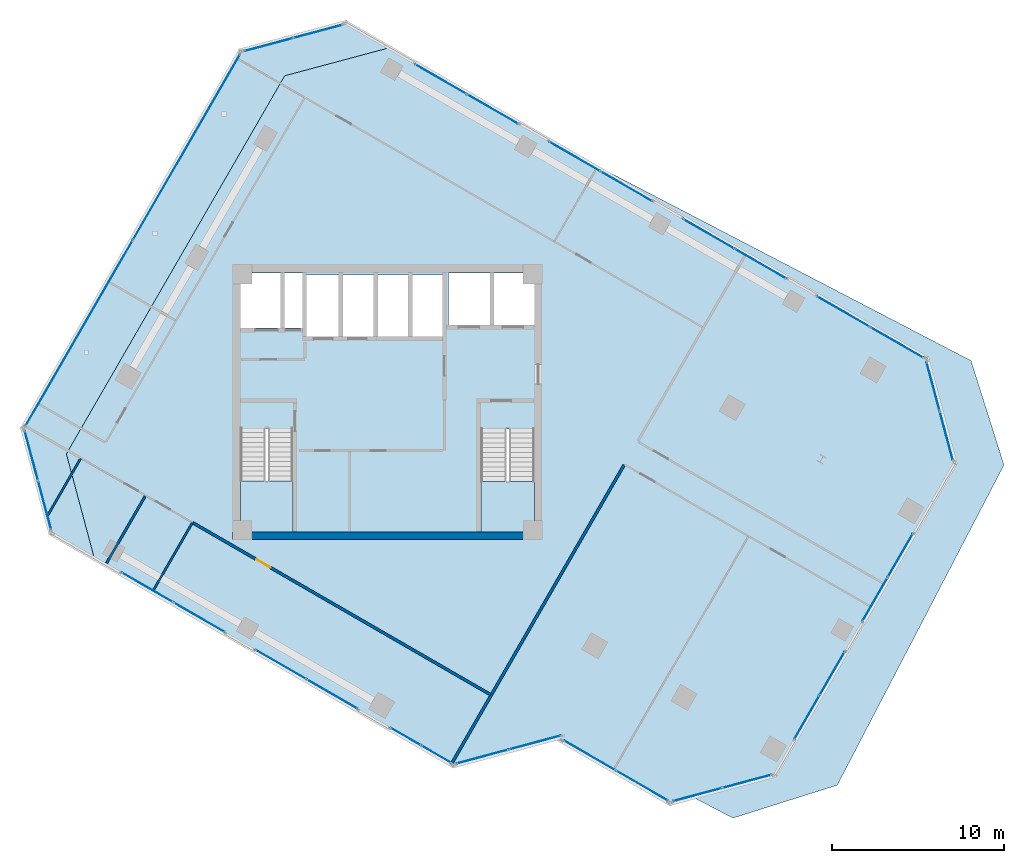
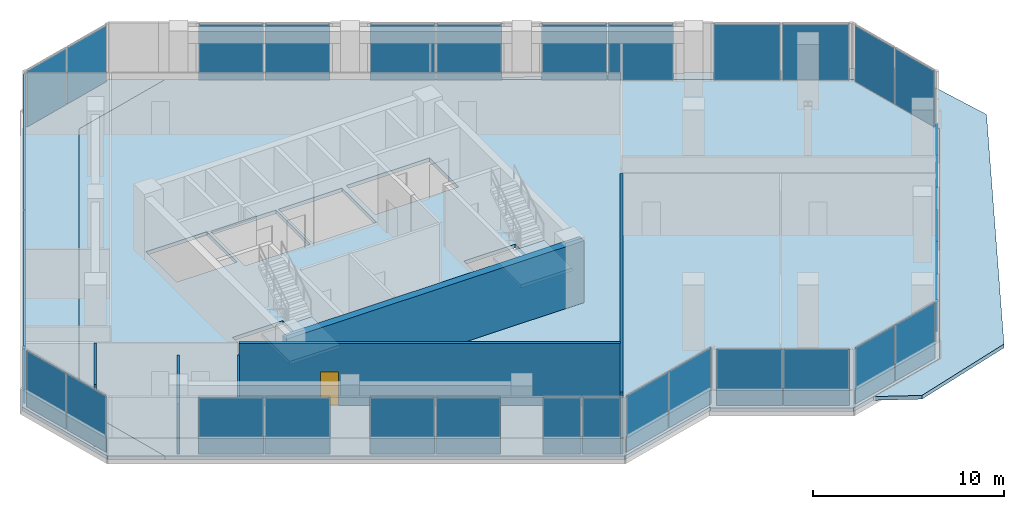
# One storey, part 16 of 21: 32 plates, 6 walls, 5 slabs, 1 door, 1 opening, 18 elements without a shape of their own.
"""IFC4 building model written with IfcOpenShell, lengths in metres."""

from ifc_helpers import new_model, si_unit, direction, frame, frame_2d, origin, origin_2d, place, context, subcontext, project, spatial, polyline, rectangle, outline, extrude, source, transform, mapped, material, layer, layer_set, type_object, element, fill, aggregate, save


model = new_model("IFC4")

# Units and contexts
model_context = context("Model", 3, precision=1e-05, world=origin(), true_north=direction((0.0, 1.0)))
body_context = subcontext(model_context, "Body", "Model", "MODEL_VIEW")
ifc_project = project(units=[si_unit("LENGTHUNIT", "METRE"), si_unit("AREAUNIT", "SQUARE_METRE"), si_unit("VOLUMEUNIT", "CUBIC_METRE"), si_unit("PLANEANGLEUNIT", "RADIAN"), si_unit("MASSUNIT", "GRAM", prefix="KILO")], contexts=[model_context])

# Site, building, storey
site_placement = place(None, origin())
site = spatial("IfcSite", under=ifc_project, at=site_placement, CompositionType="ELEMENT")
building_placement = place(site_placement, origin())
building = spatial("IfcBuilding", under=site, at=building_placement, Name="Torre Montelarca", CompositionType="ELEMENT")
storey_placement = place(building_placement, frame((0.0, 0.0, 179.199951171875)))
storey = spatial("IfcBuildingStorey", under=building, at=storey_placement, Name="L40", CompositionType="ELEMENT", Elevation=179.199951171875)

# Slabs
ifc_material_1 = material(Name="Concrete C40/50", Category="concrete")
ifc_layer_1 = layer(ifc_material_1, 0.239990234375, Name="Concrete C40/50", Category="concrete")
ifc_layer_set_1 = layer_set([ifc_layer_1], Name="Concrete C40/50")
slab_type_1 = type_object("IfcSlabType", Name="SL-FLR-240", PredefinedType="FLOOR", material=ifc_layer_set_1)
slab_1_placement = place(storey_placement, frame((0.0, 0.0, -0.239990234375)))
element("IfcSlab", 1, at=slab_1_placement, inside=storey, type_object=slab_type_1, Name="L40 Structural Floor Slab", PredefinedType="FLOOR", context=body_context, shape_type="SweptSolid", body=[
    extrude(outline(polyline([(21.839599609375, 10.788330078125), (27.98681640625, 12.435546875), (27.936767578125, 12.348876953125), (34.431884765625, 8.598876953125), (40.5791015625, 10.24609375), (51.0791015625, 28.4326171875), (49.431884765625, 34.57958984375), (18.16845703125, 52.629638671875), (12.021484375, 50.982421875), (-0.6787109375, 28.985595703125), (0.968505859375, 22.83837890625), (21.839599609375, 10.788330078125)]), holes=[polyline([(26.550048828125, 24.449951171875), (23.43994140625, 24.449951171875), (23.43994140625, 30.429931640625), (26.550048828125, 30.429931640625), (26.550048828125, 24.449951171875)]), polyline([(9.449951171875, 24.449951171875), (9.449951171875, 30.4599609375), (12.5, 30.4599609375), (12.5, 24.449951171875), (9.449951171875, 24.449951171875)]), polyline([(17.25, 35.800048828125), (13.300048828125, 35.800048828125), (13.300048828125, 39.39990234375), (17.25, 39.39990234375), (17.25, 35.800048828125)]), polyline([(21.25, 39.39990234375), (21.25, 35.800048828125), (17.39990234375, 35.800048828125), (17.39990234375, 39.39990234375), (21.25, 39.39990234375)]), polyline([(13.1201171875, 36.300048828125), (9.449951171875, 36.300048828125), (9.449951171875, 39.5), (13.1201171875, 39.5), (13.1201171875, 36.300048828125)]), polyline([(26.60009765625, 36.449951171875), (21.550048828125, 36.449951171875), (21.550048828125, 39.5), (26.60009765625, 39.5), (26.60009765625, 36.449951171875)])]), origin(), (0.0, 0.0, 1.0), 0.239990234375),
])
slab_2_placement = place(storey_placement, frame((0.0, 0.0, -0.239990234375)))
element("IfcSlab", 2, at=slab_2_placement, inside=storey, type_object=slab_type_1, Name="L40 Sliding Tray Winter Garden Floor Slab W1", PredefinedType="FLOOR", context=body_context, shape_type="SweptSolid", body=[
    extrude(outline(polyline([(0.968505859375, 22.83837890625), (-0.6787109375, 28.985595703125), (12.021484375, 50.982421875), (18.16845703125, 52.629638671875), (15.5703125, 54.129638671875), (9.42333984375, 52.482421875), (-3.276611328125, 30.485595703125), (-1.629638671875, 24.33837890625), (0.968505859375, 22.83837890625)])), origin(), (0.0, 0.0, 1.0), 0.239990234375),
])
ifc_material_2 = material(Name="Architectural concrete C40/50", Category="concrete")
ifc_layer_2 = layer(ifc_material_2, 0.239990234375, Name="Architectural concrete C40/50", Category="concrete")
ifc_layer_set_2 = layer_set([ifc_layer_2], Name="Architectural concrete C40/50")
slab_type_2 = type_object("IfcSlabType", Name="SL-ROOF-EXT-240", PredefinedType="ROOF", material=ifc_layer_set_2)
slab_3_placement = place(storey_placement, frame((0.0, 0.0, -0.239990234375)))
element("IfcSlab", 3, at=slab_3_placement, inside=storey, type_object=slab_type_2, Name="L39 Setback and Tray Overhang Roof Cap Slab 01", PredefinedType="ROOF", context=body_context, shape_type="SweptSolid", body=[
    extrude(outline(polyline([(49.43896484375, 34.5849609375), (51.087646484375, 28.431396484375), (40.58447265625, 10.239013671875), (35.851806640625, 8.970947265625), (38.101318359375, 7.800048828125), (44.1708984375, 9.713623046875), (53.86767578125, 28.3408203125), (51.953857421875, 34.410400390625), (29.455810546875, 46.1220703125), (49.43896484375, 34.5849609375)])), origin(), (0.0, 0.0, 1.0), 0.239990234375),
])

# Stair, slab
stair_type_1 = type_object("IfcStairType", Name="ST-CORE-ST1", PredefinedType="HALF_TURN_STAIR", material=ifc_material_1)
stair_1_placement = place(storey_placement, origin())
stair_1 = element("IfcStair", 4, at=stair_1_placement, inside=storey, type_object=stair_type_1, Name="L40 Protected Exit Stair ST1", PredefinedType="HALF_TURN_STAIR")
ifc_layer_3 = layer(ifc_material_1, 0.199951171875, Name="Concrete C40/50", Category="concrete")
ifc_layer_set_3 = layer_set([ifc_layer_3], Name="Concrete C40/50")
slab_type_3 = type_object("IfcSlabType", Name="SL-ST-LAND-ST1", PredefinedType="LANDING", material=ifc_layer_set_3)
slab_4_placement = place(storey_placement, frame((0.0, 0.0, 1.900146484375)))
slab_4 = element("IfcSlab", 5, at=slab_4_placement, type_object=slab_type_3, Name="ST1 landing 1", PredefinedType="LANDING", context=body_context, shape_type="SweptSolid", body=[
    extrude(outline(polyline([(9.449951171875, 27.419921875), (9.449951171875, 24.449951171875), (12.5, 24.449951171875), (12.5, 27.419921875), (9.449951171875, 27.419921875)])), origin(), (0.0, 0.0, 1.0), 0.199951171875),
])
aggregate(stair_1, [slab_4])

stair_type_2 = type_object("IfcStairType", Name="ST-CORE-ST2", PredefinedType="HALF_TURN_STAIR", material=ifc_material_1)
stair_2_placement = place(storey_placement, origin())
stair_2 = element("IfcStair", 6, at=stair_2_placement, inside=storey, type_object=stair_type_2, Name="L40 Protected Exit Stair ST2", PredefinedType="HALF_TURN_STAIR")
ifc_layer_4 = layer(ifc_material_1, 0.199951171875, Name="Concrete C40/50", Category="concrete")
ifc_layer_set_4 = layer_set([ifc_layer_4], Name="Concrete C40/50")
slab_type_4 = type_object("IfcSlabType", Name="SL-ST-LAND-ST2", PredefinedType="LANDING", material=ifc_layer_set_4)
slab_5_placement = place(storey_placement, frame((0.0, 0.0, 1.900146484375)))
slab_5 = element("IfcSlab", 7, at=slab_5_placement, type_object=slab_type_4, Name="ST2 landing 1", PredefinedType="LANDING", context=body_context, shape_type="SweptSolid", body=[
    extrude(outline(polyline([(23.43994140625, 27.389892578125), (23.43994140625, 24.449951171875), (26.550048828125, 24.449951171875), (26.550048828125, 27.389892578125), (23.43994140625, 27.389892578125)])), origin(), (0.0, 0.0, 1.0), 0.199951171875),
])
aggregate(stair_2, [slab_5])

# Curtain wall, plates
ifc_material_3 = material(Name="Insulated low-E laminated glass", Category="glass")
curtain_wall_type = type_object("IfcCurtainWallType", Name="CW-SYS-Z2", PredefinedType="USERDEFINED", material=ifc_material_3)
curtain_wall_1_placement = place(storey_placement, origin())
curtain_wall_1 = element("IfcCurtainWall", 8, at=curtain_wall_1_placement, inside=storey, type_object=curtain_wall_type, Name="L40 Curtain Wall Run CW-T3-L40-E02-B1", ObjectType="UNITISED GLAZING", PredefinedType="USERDEFINED")
ifc_layer_5 = layer(ifc_material_3, 0.031982421875, Name="Insulated low-E laminated glass", Category="glass")
ifc_layer_set_5 = layer_set([ifc_layer_5], Name="Insulated low-E laminated glass")
plate_type = type_object("IfcPlateType", Name="CWP-GLZ-32", PredefinedType="CURTAIN_PANEL", material=ifc_layer_set_5)
shared_shape_1 = source(origin(), body_context, "Body", "SweptSolid", [
    extrude(rectangle(XDim=3.102294921875, YDim=0.031982421875, at=origin_2d()), origin(), (0.0, 0.0, 1.0), 3.590087890625),
])
plate_1_placement = place(storey_placement, frame((23.52734375, 11.375, 0.06494140625), z_axis=(0.0, 0.0, 1.0), x_axis=(0.965924057738, 0.258825645334, 0.0)))
plate_1 = element("IfcPlate", 9, at=plate_1_placement, type_object=plate_type, Name="CW panel 1.1", PredefinedType="CURTAIN_PANEL", context=body_context, shape_type="MappedRepresentation", body=[
    mapped(shared_shape_1, transform((0.0, 0.0, 0.0), scale=1.0)),
])
plate_2_placement = place(storey_placement, frame((26.5869140625, 12.19482421875, 0.06494140625), z_axis=(0.0, 0.0, 1.0), x_axis=(0.965924057738, 0.258825645334, 0.0)))
plate_2 = element("IfcPlate", 10, at=plate_2_placement, type_object=plate_type, Name="CW panel 2.1", PredefinedType="CURTAIN_PANEL", context=body_context, shape_type="MappedRepresentation", body=[
    mapped(shared_shape_1, transform((0.0, 0.0, 0.0), scale=1.0)),
])
aggregate(curtain_wall_1, [plate_1, plate_2])

curtain_wall_2_placement = place(storey_placement, origin())
curtain_wall_2 = element("IfcCurtainWall", 11, at=curtain_wall_2_placement, inside=storey, type_object=curtain_wall_type, Name="L40 Curtain Wall Run CW-T3-L40-E11-B1", ObjectType="UNITISED GLAZING", PredefinedType="USERDEFINED")
shared_shape_2 = source(origin(), body_context, "Body", "SweptSolid", [
    extrude(rectangle(XDim=2.918701171875, YDim=0.031982421875, at=origin_2d()), origin(), (0.0, 0.0, 1.0), 3.590087890625),
])
plate_3_placement = place(storey_placement, frame((-2.713623046875, 28.886474609375, 0.06494140625), z_axis=(0.0, 0.0, 1.0), x_axis=(0.258809832936, -0.965928294635, 0.0)))
plate_3 = element("IfcPlate", 12, at=plate_3_placement, type_object=plate_type, Name="CW panel 1.1", PredefinedType="CURTAIN_PANEL", context=body_context, shape_type="MappedRepresentation", body=[
    mapped(shared_shape_2, transform((0.0, 0.0, 0.0), scale=1.0)),
])
plate_4_placement = place(storey_placement, frame((-1.94140625, 26.004638671875, 0.06494140625), z_axis=(0.0, 0.0, 1.0), x_axis=(0.258809832936, -0.965928294635, 0.0)))
plate_4 = element("IfcPlate", 13, at=plate_4_placement, type_object=plate_type, Name="CW panel 2.1", PredefinedType="CURTAIN_PANEL", context=body_context, shape_type="MappedRepresentation", body=[
    mapped(shared_shape_2, transform((0.0, 0.0, 0.0), scale=1.0)),
])
aggregate(curtain_wall_2, [plate_3, plate_4])

curtain_wall_3_placement = place(storey_placement, origin())
curtain_wall_3 = element("IfcCurtainWall", 14, at=curtain_wall_3_placement, inside=storey, type_object=curtain_wall_type, Name="L40 Curtain Wall Run CW-T3-L40-E05-B1", ObjectType="UNITISED GLAZING", PredefinedType="USERDEFINED")
shared_shape_3 = source(origin(), body_context, "Body", "SweptSolid", [
    extrude(rectangle(XDim=2.91845703125, YDim=0.031982421875, at=origin_2d()), origin(), (0.0, 0.0, 1.0), 3.590087890625),
])
plate_5_placement = place(storey_placement, frame((36.031005859375, 9.161865234375, 0.06494140625), z_axis=(0.0, 0.0, 1.0), x_axis=(0.965923039694, 0.258829444593, 0.0)))
plate_5 = element("IfcPlate", 15, at=plate_5_placement, type_object=plate_type, Name="CW panel 1.1", PredefinedType="CURTAIN_PANEL", context=body_context, shape_type="MappedRepresentation", body=[
    mapped(shared_shape_3, transform((0.0, 0.0, 0.0), scale=1.0)),
])
plate_6_placement = place(storey_placement, frame((38.912841796875, 9.93408203125, 0.06494140625), z_axis=(0.0, 0.0, 1.0), x_axis=(0.965923039694, 0.258829444593, 0.0)))
plate_6 = element("IfcPlate", 16, at=plate_6_placement, type_object=plate_type, Name="CW panel 2.1", PredefinedType="CURTAIN_PANEL", context=body_context, shape_type="MappedRepresentation", body=[
    mapped(shared_shape_3, transform((0.0, 0.0, 0.0), scale=1.0)),
])
aggregate(curtain_wall_3, [plate_5, plate_6])

curtain_wall_4_placement = place(storey_placement, origin())
curtain_wall_4 = element("IfcCurtainWall", 17, at=curtain_wall_4_placement, inside=storey, type_object=curtain_wall_type, Name="L40 Curtain Wall Run CW-T3-L40-E07-B1", ObjectType="UNITISED GLAZING", PredefinedType="USERDEFINED")
plate_7_placement = place(storey_placement, frame((50.51611328125, 30.031494140625, 0.06494140625), z_axis=(0.0, 0.0, 1.0), x_axis=(-0.258813977273, 0.965927184196, 0.0)))
plate_7 = element("IfcPlate", 18, at=plate_7_placement, type_object=plate_type, Name="CW panel 1.1", PredefinedType="CURTAIN_PANEL", context=body_context, shape_type="MappedRepresentation", body=[
    mapped(shared_shape_3, transform((0.0, 0.0, 0.0), scale=1.0)),
])
plate_8_placement = place(storey_placement, frame((49.743896484375, 32.913330078125, 0.06494140625), z_axis=(0.0, 0.0, 1.0), x_axis=(-0.258813977273, 0.965927184196, 0.0)))
plate_8 = element("IfcPlate", 19, at=plate_8_placement, type_object=plate_type, Name="CW panel 2.1", PredefinedType="CURTAIN_PANEL", context=body_context, shape_type="MappedRepresentation", body=[
    mapped(shared_shape_3, transform((0.0, 0.0, 0.0), scale=1.0)),
])
aggregate(curtain_wall_4, [plate_7, plate_8])

curtain_wall_5_placement = place(storey_placement, origin())
curtain_wall_5 = element("IfcCurtainWall", 20, at=curtain_wall_5_placement, inside=storey, type_object=curtain_wall_type, Name="L40 Curtain Wall Run CW-T3-L40-E09-B1", ObjectType="UNITISED GLAZING", PredefinedType="USERDEFINED")
plate_9_placement = place(storey_placement, frame((13.971435546875, 53.566650390625, 0.06494140625), z_axis=(0.0, 0.0, 1.0), x_axis=(-0.965927184196, -0.258813977273, 0.0)))
plate_9 = element("IfcPlate", 21, at=plate_9_placement, type_object=plate_type, Name="CW panel 1.1", PredefinedType="CURTAIN_PANEL", context=body_context, shape_type="MappedRepresentation", body=[
    mapped(shared_shape_3, transform((0.0, 0.0, 0.0), scale=1.0)),
])
plate_10_placement = place(storey_placement, frame((11.089599609375, 52.79443359375, 0.06494140625), z_axis=(0.0, 0.0, 1.0), x_axis=(-0.965927184196, -0.258813977273, 0.0)))
plate_10 = element("IfcPlate", 22, at=plate_10_placement, type_object=plate_type, Name="CW panel 2.1", PredefinedType="CURTAIN_PANEL", context=body_context, shape_type="MappedRepresentation", body=[
    mapped(shared_shape_3, transform((0.0, 0.0, 0.0), scale=1.0)),
])
aggregate(curtain_wall_5, [plate_9, plate_10])

curtain_wall_6_placement = place(storey_placement, origin())
curtain_wall_6 = element("IfcCurtainWall", 23, at=curtain_wall_6_placement, inside=storey, type_object=curtain_wall_type, Name="L40 Curtain Wall Run CW-T3-L40-E01-B1", ObjectType="UNITISED GLAZING", PredefinedType="USERDEFINED")
shared_shape_4 = source(origin(), body_context, "Body", "SweptSolid", [
    extrude(rectangle(XDim=3.422607421875, YDim=0.031982421875, at=origin_2d()), origin(), (0.0, 0.0, 1.0), 3.590087890625),
])
plate_11_placement = place(storey_placement, frame((4.026611328125, 21.22265625, 0.06494140625), z_axis=(0.0, 0.0, 1.0), x_axis=(0.866024734651, -0.500001158972, 0.0)))
plate_11 = element("IfcPlate", 24, at=plate_11_placement, type_object=plate_type, Name="CW panel 1.1", PredefinedType="CURTAIN_PANEL", context=body_context, shape_type="MappedRepresentation", body=[
    mapped(shared_shape_4, transform((0.0, 0.0, 0.0), scale=1.0)),
])
plate_12_placement = place(storey_placement, frame((7.046875, 19.47900390625, 0.06494140625), z_axis=(0.0, 0.0, 1.0), x_axis=(0.866024734651, -0.500001158972, 0.0)))
plate_12 = element("IfcPlate", 25, at=plate_12_placement, type_object=plate_type, Name="CW panel 2.1", PredefinedType="CURTAIN_PANEL", context=body_context, shape_type="MappedRepresentation", body=[
    mapped(shared_shape_4, transform((0.0, 0.0, 0.0), scale=1.0)),
])
aggregate(curtain_wall_6, [plate_11, plate_12])

curtain_wall_7_placement = place(storey_placement, origin())
curtain_wall_7 = element("IfcCurtainWall", 26, at=curtain_wall_7_placement, inside=storey, type_object=curtain_wall_type, Name="L40 Curtain Wall Run CW-T3-L40-E08-B2", ObjectType="UNITISED GLAZING", PredefinedType="USERDEFINED")
plate_13_placement = place(storey_placement, frame((39.705322265625, 40.045166015625, 0.06494140625), z_axis=(0.0, 0.0, 1.0), x_axis=(-0.866028285754, 0.49999500825, 0.0)))
plate_13 = element("IfcPlate", 27, at=plate_13_placement, type_object=plate_type, Name="CW panel 1.1", PredefinedType="CURTAIN_PANEL", context=body_context, shape_type="MappedRepresentation", body=[
    mapped(shared_shape_4, transform((0.0, 0.0, 0.0), scale=1.0)),
])
plate_14_placement = place(storey_placement, frame((36.68505859375, 41.788818359375, 0.06494140625), z_axis=(0.0, 0.0, 1.0), x_axis=(-0.866028285754, 0.49999500825, 0.0)))
plate_14 = element("IfcPlate", 28, at=plate_14_placement, type_object=plate_type, Name="CW panel 2.1", PredefinedType="CURTAIN_PANEL", context=body_context, shape_type="MappedRepresentation", body=[
    mapped(shared_shape_4, transform((0.0, 0.0, 0.0), scale=1.0)),
])
aggregate(curtain_wall_7, [plate_13, plate_14])

curtain_wall_8_placement = place(storey_placement, origin())
curtain_wall_8 = element("IfcCurtainWall", 29, at=curtain_wall_8_placement, inside=storey, type_object=curtain_wall_type, Name="L40 Curtain Wall Run CW-T3-L40-E08-B3", ObjectType="UNITISED GLAZING", PredefinedType="USERDEFINED")
plate_15_placement = place(storey_placement, frame((31.9111328125, 44.545166015625, 0.06494140625), z_axis=(0.0, 0.0, 1.0), x_axis=(-0.866024734651, 0.500001158972, 0.0)))
plate_15 = element("IfcPlate", 30, at=plate_15_placement, type_object=plate_type, Name="CW panel 1.1", PredefinedType="CURTAIN_PANEL", context=body_context, shape_type="MappedRepresentation", body=[
    mapped(shared_shape_4, transform((0.0, 0.0, 0.0), scale=1.0)),
])
plate_16_placement = place(storey_placement, frame((28.890869140625, 46.288818359375, 0.06494140625), z_axis=(0.0, 0.0, 1.0), x_axis=(-0.866024734651, 0.500001158972, 0.0)))
plate_16 = element("IfcPlate", 31, at=plate_16_placement, type_object=plate_type, Name="CW panel 2.1", PredefinedType="CURTAIN_PANEL", context=body_context, shape_type="MappedRepresentation", body=[
    mapped(shared_shape_4, transform((0.0, 0.0, 0.0), scale=1.0)),
])
aggregate(curtain_wall_8, [plate_15, plate_16])

curtain_wall_9_placement = place(storey_placement, origin())
curtain_wall_9 = element("IfcCurtainWall", 32, at=curtain_wall_9_placement, inside=storey, type_object=curtain_wall_type, Name="L40 Curtain Wall Run CW-T3-L40-E08-B4", ObjectType="UNITISED GLAZING", PredefinedType="USERDEFINED")
plate_17_placement = place(storey_placement, frame((24.116943359375, 49.045166015625, 0.06494140625), z_axis=(0.0, 0.0, 1.0), x_axis=(-0.866024734651, 0.500001158972, 0.0)))
plate_17 = element("IfcPlate", 33, at=plate_17_placement, type_object=plate_type, Name="CW panel 1.1", PredefinedType="CURTAIN_PANEL", context=body_context, shape_type="MappedRepresentation", body=[
    mapped(shared_shape_4, transform((0.0, 0.0, 0.0), scale=1.0)),
])
plate_18_placement = place(storey_placement, frame((21.0966796875, 50.788818359375, 0.06494140625), z_axis=(0.0, 0.0, 1.0), x_axis=(-0.866024734651, 0.500001158972, 0.0)))
plate_18 = element("IfcPlate", 34, at=plate_18_placement, type_object=plate_type, Name="CW panel 2.1", PredefinedType="CURTAIN_PANEL", context=body_context, shape_type="MappedRepresentation", body=[
    mapped(shared_shape_4, transform((0.0, 0.0, 0.0), scale=1.0)),
])
aggregate(curtain_wall_9, [plate_17, plate_18])

curtain_wall_10_placement = place(storey_placement, origin())
curtain_wall_10 = element("IfcCurtainWall", 35, at=curtain_wall_10_placement, inside=storey, type_object=curtain_wall_type, Name="L40 Curtain Wall Run CW-T3-L40-E01-B2", ObjectType="UNITISED GLAZING", PredefinedType="USERDEFINED")
shared_shape_5 = source(origin(), body_context, "Body", "SweptSolid", [
    extrude(rectangle(XDim=3.385009765625, YDim=0.031982421875, at=origin_2d()), origin(), (0.0, 0.0, 1.0), 3.590087890625),
])
plate_19_placement = place(storey_placement, frame((11.8046875, 16.732177734375, 0.06494140625), z_axis=(0.0, 0.0, 1.0), x_axis=(0.866023001119, -0.500004161515, 0.0)))
plate_19 = element("IfcPlate", 36, at=plate_19_placement, type_object=plate_type, Name="CW panel 1.1", PredefinedType="CURTAIN_PANEL", context=body_context, shape_type="MappedRepresentation", body=[
    mapped(shared_shape_5, transform((0.0, 0.0, 0.0), scale=1.0)),
])
plate_20_placement = place(storey_placement, frame((14.79248046875, 15.007080078125, 0.06494140625), z_axis=(0.0, 0.0, 1.0), x_axis=(0.866023001119, -0.500004161515, 0.0)))
plate_20 = element("IfcPlate", 37, at=plate_20_placement, type_object=plate_type, Name="CW panel 2.1", PredefinedType="CURTAIN_PANEL", context=body_context, shape_type="MappedRepresentation", body=[
    mapped(shared_shape_5, transform((0.0, 0.0, 0.0), scale=1.0)),
])
aggregate(curtain_wall_10, [plate_19, plate_20])

curtain_wall_11_placement = place(storey_placement, origin())
curtain_wall_11 = element("IfcCurtainWall", 38, at=curtain_wall_11_placement, inside=storey, type_object=curtain_wall_type, Name="L40 Curtain Wall Run CW-T3-L40-E01-B3", ObjectType="UNITISED GLAZING", PredefinedType="USERDEFINED")
shared_shape_6 = source(origin(), body_context, "Body", "SweptSolid", [
    extrude(rectangle(XDim=1.9921875, YDim=0.031982421875, at=origin_2d()), origin(), (0.0, 0.0, 1.0), 3.590087890625),
])
plate_21_placement = place(storey_placement, frame((19.060546875, 12.54296875, 0.06494140625), z_axis=(0.0, 0.0, 1.0), x_axis=(0.866031782334, -0.499988951866, 0.0)))
plate_21 = element("IfcPlate", 39, at=plate_21_placement, type_object=plate_type, Name="CW panel 1.1", PredefinedType="CURTAIN_PANEL", context=body_context, shape_type="MappedRepresentation", body=[
    mapped(shared_shape_6, transform((0.0, 0.0, 0.0), scale=1.0)),
])
plate_22_placement = place(storey_placement, frame((20.84228515625, 11.514404296875, 0.06494140625), z_axis=(0.0, 0.0, 1.0), x_axis=(0.866031782334, -0.499988951866, 0.0)))
plate_22 = element("IfcPlate", 40, at=plate_22_placement, type_object=plate_type, Name="CW panel 2.1", PredefinedType="CURTAIN_PANEL", context=body_context, shape_type="MappedRepresentation", body=[
    mapped(shared_shape_6, transform((0.0, 0.0, 0.0), scale=1.0)),
])
aggregate(curtain_wall_11, [plate_21, plate_22])

curtain_wall_12_placement = place(storey_placement, origin())
curtain_wall_12 = element("IfcCurtainWall", 41, at=curtain_wall_12_placement, inside=storey, type_object=curtain_wall_type, Name="L40 Curtain Wall Run CW-T3-L40-E04-B1", ObjectType="UNITISED GLAZING", PredefinedType="USERDEFINED")
shared_shape_7 = source(origin(), body_context, "Body", "SweptSolid", [
    extrude(rectangle(XDim=3.44873046875, YDim=0.031982421875, at=origin_2d()), origin(), (0.0, 0.0, 1.0), 3.590087890625),
])
plate_23_placement = place(storey_placement, frame((29.760986328125, 11.44580078125, 0.06494140625), z_axis=(0.0, 0.0, 1.0), x_axis=(0.866028034499, -0.499995443442, 0.0)))
plate_23 = element("IfcPlate", 42, at=plate_23_placement, type_object=plate_type, Name="CW panel 1.1", PredefinedType="CURTAIN_PANEL", context=body_context, shape_type="MappedRepresentation", body=[
    mapped(shared_shape_7, transform((0.0, 0.0, 0.0), scale=1.0)),
])
plate_24_placement = place(storey_placement, frame((32.8037109375, 9.68896484375, 0.06494140625), z_axis=(0.0, 0.0, 1.0), x_axis=(0.866028034499, -0.499995443442, 0.0)))
plate_24 = element("IfcPlate", 43, at=plate_24_placement, type_object=plate_type, Name="CW panel 2.1", PredefinedType="CURTAIN_PANEL", context=body_context, shape_type="MappedRepresentation", body=[
    mapped(shared_shape_7, transform((0.0, 0.0, 0.0), scale=1.0)),
])
aggregate(curtain_wall_12, [plate_23, plate_24])

curtain_wall_13_placement = place(storey_placement, origin())
curtain_wall_13 = element("IfcCurtainWall", 44, at=curtain_wall_13_placement, inside=storey, type_object=curtain_wall_type, Name="L40 Curtain Wall Run CW-T3-L40-E06-B1", ObjectType="UNITISED GLAZING", PredefinedType="USERDEFINED")
shared_shape_8 = source(origin(), body_context, "Body", "SweptSolid", [
    extrude(rectangle(XDim=2.885009765625, YDim=0.031982421875, at=origin_2d()), origin(), (0.0, 0.0, 1.0), 3.590087890625),
])
plate_25_placement = place(storey_placement, frame((42.397705078125, 13.656005859375, 0.06494140625), z_axis=(0.0, 0.0, 1.0), x_axis=(0.50000301503, 0.866023663049, 0.0)))
plate_25 = element("IfcPlate", 45, at=plate_25_placement, type_object=plate_type, Name="CW panel 1.1", PredefinedType="CURTAIN_PANEL", context=body_context, shape_type="MappedRepresentation", body=[
    mapped(shared_shape_8, transform((0.0, 0.0, 0.0), scale=1.0)),
])
plate_26_placement = place(storey_placement, frame((43.872802734375, 16.210693359375, 0.06494140625), z_axis=(0.0, 0.0, 1.0), x_axis=(0.50000301503, 0.866023663049, 0.0)))
plate_26 = element("IfcPlate", 46, at=plate_26_placement, type_object=plate_type, Name="CW panel 2.1", PredefinedType="CURTAIN_PANEL", context=body_context, shape_type="MappedRepresentation", body=[
    mapped(shared_shape_8, transform((0.0, 0.0, 0.0), scale=1.0)),
])
aggregate(curtain_wall_13, [plate_25, plate_26])

curtain_wall_14_placement = place(storey_placement, origin())
curtain_wall_14 = element("IfcCurtainWall", 47, at=curtain_wall_14_placement, inside=storey, type_object=curtain_wall_type, Name="L40 Curtain Wall Run CW-T3-L40-E06-B2", ObjectType="UNITISED GLAZING", PredefinedType="USERDEFINED")
plate_27_placement = place(storey_placement, frame((46.3603515625, 20.519287109375, 0.06494140625), z_axis=(0.0, 0.0, 1.0), x_axis=(0.499995755824, 0.866027854146, 0.0)))
plate_27 = element("IfcPlate", 48, at=plate_27_placement, type_object=plate_type, Name="CW panel 1.1", PredefinedType="CURTAIN_PANEL", context=body_context, shape_type="MappedRepresentation", body=[
    mapped(shared_shape_8, transform((0.0, 0.0, 0.0), scale=1.0)),
])
plate_28_placement = place(storey_placement, frame((47.835205078125, 23.073974609375, 0.06494140625), z_axis=(0.0, 0.0, 1.0), x_axis=(0.499995755824, 0.866027854146, 0.0)))
plate_28 = element("IfcPlate", 49, at=plate_28_placement, type_object=plate_type, Name="CW panel 2.1", PredefinedType="CURTAIN_PANEL", context=body_context, shape_type="MappedRepresentation", body=[
    mapped(shared_shape_8, transform((0.0, 0.0, 0.0), scale=1.0)),
])
aggregate(curtain_wall_14, [plate_27, plate_28])

curtain_wall_15_placement = place(storey_placement, origin())
curtain_wall_15 = element("IfcCurtainWall", 50, at=curtain_wall_15_placement, inside=storey, type_object=curtain_wall_type, Name="L40 Curtain Wall Run CW-T3-L40-E08-B1", ObjectType="UNITISED GLAZING", PredefinedType="USERDEFINED")
shared_shape_9 = source(origin(), body_context, "Body", "SweptSolid", [
    extrude(rectangle(XDim=3.529541015625, YDim=0.031982421875, at=origin_2d()), origin(), (0.0, 0.0, 1.0), 3.590087890625),
])
plate_29_placement = place(storey_placement, frame((47.638671875, 35.46484375, 0.06494140625), z_axis=(0.0, 0.0, 1.0), x_axis=(-0.86602466338, 0.500001282416, 0.0)))
plate_29 = element("IfcPlate", 51, at=plate_29_placement, type_object=plate_type, Name="CW panel 1.1", PredefinedType="CURTAIN_PANEL", context=body_context, shape_type="MappedRepresentation", body=[
    mapped(shared_shape_9, transform((0.0, 0.0, 0.0), scale=1.0)),
])
plate_30_placement = place(storey_placement, frame((44.525634765625, 37.26220703125, 0.06494140625), z_axis=(0.0, 0.0, 1.0), x_axis=(-0.86602466338, 0.500001282416, 0.0)))
plate_30 = element("IfcPlate", 52, at=plate_30_placement, type_object=plate_type, Name="CW panel 2.1", PredefinedType="CURTAIN_PANEL", context=body_context, shape_type="MappedRepresentation", body=[
    mapped(shared_shape_9, transform((0.0, 0.0, 0.0), scale=1.0)),
])
aggregate(curtain_wall_15, [plate_29, plate_30])

curtain_wall_16_placement = place(storey_placement, origin())
curtain_wall_16 = element("IfcCurtainWall", 53, at=curtain_wall_16_placement, inside=storey, type_object=curtain_wall_type, Name="L40 Curtain Wall Run CW-T3-L40-E10-B1", ObjectType="UNITISED GLAZING", PredefinedType="USERDEFINED")
shared_shape_10 = source(origin(), body_context, "Body", "SweptSolid", [
    extrude(rectangle(XDim=12.436767578125, YDim=0.031982421875, at=origin_2d()), origin(), (0.0, 0.0, 1.0), 3.590087890625),
])
plate_31_placement = place(storey_placement, frame((6.311279296875, 46.832275390625, 0.06494140625), z_axis=(0.0, 0.0, 1.0), x_axis=(-0.500001230421, -0.8660246934, 0.0)))
plate_31 = element("IfcPlate", 54, at=plate_31_placement, type_object=plate_type, Name="CW panel 1.1", PredefinedType="CURTAIN_PANEL", context=body_context, shape_type="MappedRepresentation", body=[
    mapped(shared_shape_10, transform((0.0, 0.0, 0.0), scale=1.0)),
])
plate_32_placement = place(storey_placement, frame((0.060546875, 36.005615234375, 0.06494140625), z_axis=(0.0, 0.0, 1.0), x_axis=(-0.500001230421, -0.8660246934, 0.0)))
plate_32 = element("IfcPlate", 55, at=plate_32_placement, type_object=plate_type, Name="CW panel 2.1", PredefinedType="CURTAIN_PANEL", context=body_context, shape_type="MappedRepresentation", body=[
    mapped(shared_shape_10, transform((0.0, 0.0, 0.0), scale=1.0)),
])
aggregate(curtain_wall_16, [plate_31, plate_32])

# Wall
ifc_material_4 = material(Name="Concrete C55/67", Category="concrete")
ifc_layer_6 = layer(ifc_material_4, 0.449951171875, Name="Concrete C55/67", Category="concrete")
ifc_layer_set_6 = layer_set([ifc_layer_6], Name="Concrete C55/67")
wall_type_1 = type_object("IfcWallType", Name="CW-SHEAR-450", PredefinedType="SHEAR", material=ifc_layer_set_6)
wall_1_placement = place(storey_placement, frame((9.0, 24.22509765625, 0.0), z_axis=(0.0, 0.0, 1.0), x_axis=(1.0, 0.0, 0.0)))
element("IfcWall", 56, at=wall_1_placement, inside=storey, type_object=wall_type_1, Name="L40 Core Shear Wall CW-S1", PredefinedType="SHEAR", context=body_context, shape_type="SweptSolid", body=[
    extrude(rectangle(XDim=18.0, YDim=0.449951171875, at=frame_2d((9.0, 0.0))), origin(), (0.0, 0.0, 1.0), 3.9599609375),
])

# Wall, opening, door
ifc_material_5 = material(Name="Gypsum plasterboard on steel stud", Category="steel")
ifc_layer_7 = layer(ifc_material_5, 0.159912109375, Name="Gypsum plasterboard on steel stud", Category="steel")
ifc_layer_set_7 = layer_set([ifc_layer_7], Name="Gypsum plasterboard on steel stud")
wall_type_2 = type_object("IfcWallType", Name="PW-FIRE-160", PredefinedType="PARTITIONING", material=ifc_layer_set_7)
wall_2_placement = place(storey_placement, frame((6.6923828125, 24.972412109375, 0.0), z_axis=(0.0, 0.0, 1.0), x_axis=(0.866021861762, -0.500006134913, 0.0)))
wall_2 = element("IfcWall", 57, at=wall_2_placement, inside=storey, type_object=wall_type_2, Name="L40 Interior Partition W-L40-SOCCN", PredefinedType="PARTITIONING", context=body_context, shape_type="SweptSolid", body=[
    extrude(rectangle(XDim=19.989990234375, YDim=0.159912109375, at=frame_2d((9.9951171875, 0.0))), origin(), (0.0, 0.0, 1.0), 3.9599609375),
])
opening_placement = place(wall_2_placement, frame((4.25, 0.0, 0.0)))
opening = element("IfcOpeningElement", 58, at=opening_placement, cuts=wall_2, Name="Opening FD-095", PredefinedType="OPENING", context=body_context, shape_type="SweptSolid", body=[
    extrude(rectangle(XDim=0.949951171875, YDim=2.14990234375, at=frame_2d((0.47509765625, 1.074951171875))), frame((0.0, 0.08984375, 0.0), z_axis=(0.0, -1.0, 0.0), x_axis=(1.0, 0.0, 0.0)), (0.0, 0.0, 1.0), 0.179931640625),
])
ifc_material_6 = material(Name="Timber fire-rated room door", Category="wood")
door_type = type_object("IfcDoorType", Name="DR-FIRE-095", OperationType="NOTDEFINED", PredefinedType="DOOR", material=ifc_material_6)
shared_shape_11 = source(origin(), body_context, "Body", "SweptSolid", [
    extrude(rectangle(XDim=0.949951171875, YDim=2.14990234375, at=frame_2d((0.47509765625, 1.074951171875))), frame((0.0, 0.02490234375, 0.0), z_axis=(0.0, -1.0, 0.0), x_axis=(1.0, 0.0, 0.0)), (0.0, 0.0, 1.0), 0.050048828125),
])
door_placement = place(opening_placement, origin())
door = element("IfcDoor", 59, at=door_placement, inside=storey, type_object=door_type, Name="L40 Interior Door 06", OperationType="SINGLE_SWING_RIGHT", OverallHeight=2.14990234375, OverallWidth=0.949951171875, PredefinedType="DOOR", context=body_context, shape_type="MappedRepresentation", body=[
    mapped(shared_shape_11, transform((0.0, 0.0, 0.0), scale=1.0)),
])
fill(opening, door)

# Walls
wall_3_placement = place(storey_placement, frame((21.773681640625, 11.0341796875, 0.0), z_axis=(0.0, 0.0, 1.0), x_axis=(0.500008037328, 0.866020763381, 0.0)))
element("IfcWall", 60, at=wall_3_placement, inside=storey, type_object=wall_type_2, Name="L40 Interior Partition W-L40-ECS", PredefinedType="PARTITIONING", context=body_context, shape_type="SweptSolid", body=[
    extrude(rectangle(XDim=19.980224609375, YDim=0.159912109375, at=frame_2d((9.990234375, 0.0))), origin(), (0.0, 0.0, 1.0), 3.9599609375),
])
ifc_layer_8 = layer(ifc_material_5, 0.114990234375, Name="Gypsum plasterboard on steel stud", Category="steel")
ifc_layer_set_8 = layer_set([ifc_layer_8], Name="Gypsum plasterboard on steel stud")
wall_type_3 = type_object("IfcWallType", Name="PW-PART-115", PredefinedType="PARTITIONING", material=ifc_layer_set_8)
wall_4_placement = place(storey_placement, frame((-1.74853515625, 25.432373046875, 0.0), z_axis=(0.0, 0.0, 1.0), x_axis=(0.500013012896, 0.866017890655, 0.0)))
element("IfcWall", 61, at=wall_4_placement, inside=storey, type_object=wall_type_3, Name="L40 Interior Partition W-L40-WCW", PredefinedType="PARTITIONING", context=body_context, shape_type="SweptSolid", body=[
    extrude(rectangle(XDim=3.7822265625, YDim=0.114990234375, at=frame_2d((1.89111328125, 0.0))), origin(), (0.0, 0.0, 1.0), 3.9599609375),
])
wall_5_placement = place(storey_placement, frame((4.392578125, 21.069091796875, 0.0), z_axis=(0.0, 0.0, 1.0), x_axis=(0.499998569178, 0.866026229868, 0.0)))
element("IfcWall", 62, at=wall_5_placement, inside=storey, type_object=wall_type_3, Name="L40 Interior Partition W-L40-SWCDIV", PredefinedType="PARTITIONING", context=body_context, shape_type="SweptSolid", body=[
    extrude(rectangle(XDim=4.490234375, YDim=0.114990234375, at=frame_2d((2.2451171875, 0.0))), origin(), (0.0, 0.0, 1.0), 3.195068359375),
])
ifc_layer_9 = layer(ifc_material_5, 0.135009765625, Name="Gypsum plasterboard on steel stud", Category="steel")
ifc_layer_set_9 = layer_set([ifc_layer_9], Name="Gypsum plasterboard on steel stud")
wall_type_4 = type_object("IfcWallType", Name="PW-PART-135", PredefinedType="PARTITIONING", material=ifc_layer_set_9)
wall_6_placement = place(storey_placement, frame((1.664794921875, 22.644287109375, 0.0), z_axis=(0.0, 0.0, 1.0), x_axis=(0.499981332661, 0.866036181109, 0.0)))
element("IfcWall", 63, at=wall_6_placement, inside=storey, type_object=wall_type_4, Name="L40 Interior Partition W-L40-WCD", PredefinedType="PARTITIONING", context=body_context, shape_type="SweptSolid", body=[
    extrude(rectangle(XDim=4.489990234375, YDim=0.135009765625, at=frame_2d((2.2451171875, 0.0))), origin(), (0.0, 0.0, 1.0), 3.195068359375),
])

save(model, "model.ifc")
